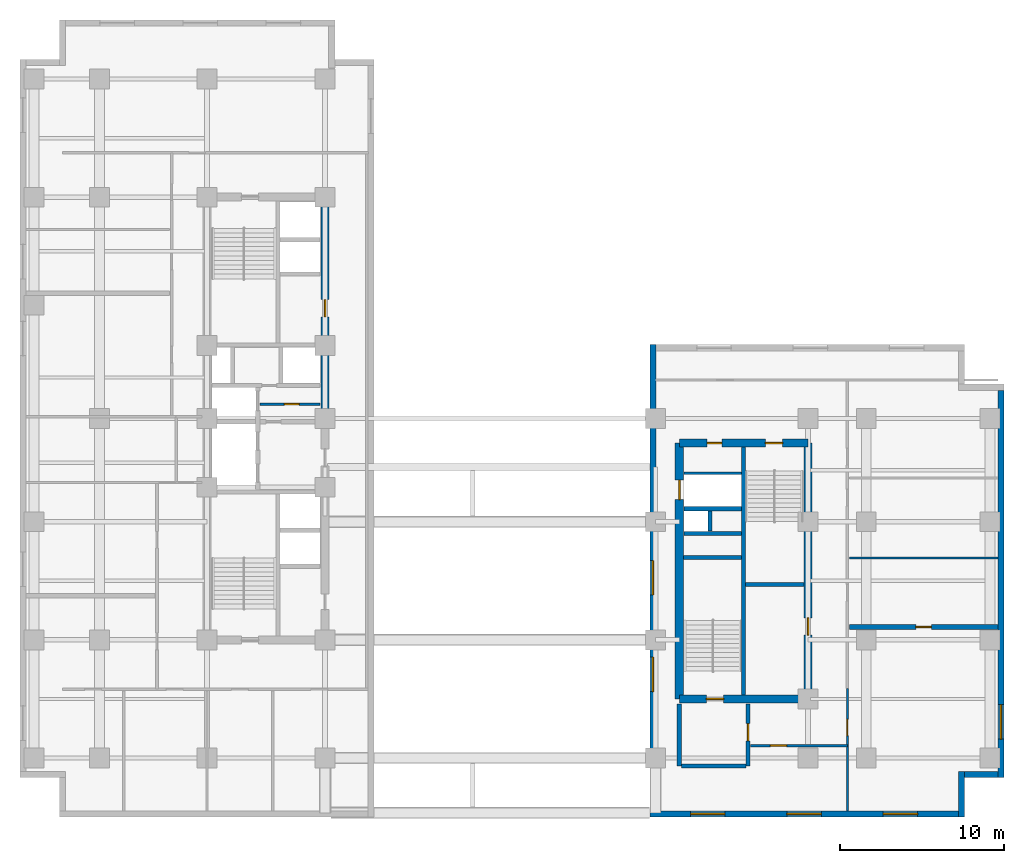
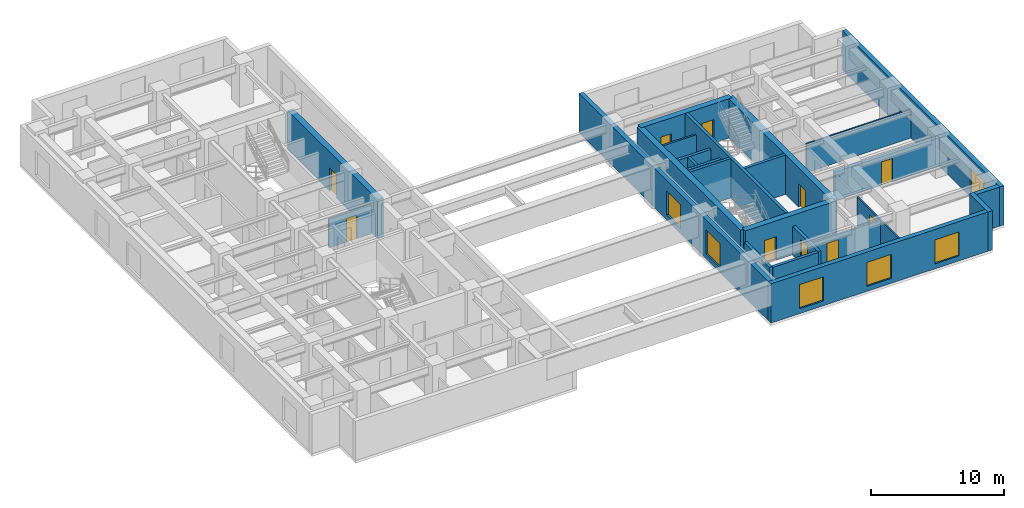
# One storey, part 4 of 9: 25 walls, 11 doors, 6 windows, 17 openings.
"""IFC4 building model written with IfcOpenShell, lengths in metres."""

from ifc_helpers import new_model, entity, si_unit, converted_unit, direction, frame, origin_with_axes, origin_2d_with_axis, place, context, subcontext, project, spatial, polyline, rectangle, outline, extrude, material, layer, layer_set, type_object, element, fill, save


model = new_model("IFC4")

# Units and contexts
model_context = context("Model", 3, precision=1e-05, world=origin_with_axes(), true_north=direction((0.0, 1.0)))
body_context = subcontext(model_context, "Body", "Model", "MODEL_VIEW")
ifc_project = project(units=[si_unit("LENGTHUNIT", "METRE"), si_unit("AREAUNIT", "SQUARE_METRE"), si_unit("VOLUMEUNIT", "CUBIC_METRE"), converted_unit("PLANEANGLEUNIT", "DEGREE", entity("IfcPlaneAngleMeasure", 0.017453292519943295), si_unit("PLANEANGLEUNIT", "RADIAN"), dimensions=[0, 0, 0, 0, 0, 0, 0]), si_unit("MASSUNIT", "GRAM", prefix="KILO"), si_unit("THERMODYNAMICTEMPERATUREUNIT", "KELVIN")], contexts=[model_context])

# Site, building, storey
site_placement = place(None, origin_with_axes())
site = spatial("IfcSite", under=ifc_project, at=site_placement, CompositionType="ELEMENT")
building_placement = place(site_placement, origin_with_axes())
building = spatial("IfcBuilding", under=site, at=building_placement, Name="Varnlund Millrace Tower", CompositionType="ELEMENT")
storey_placement = place(building_placement, frame((0.0, 0.0, 120.3), z_axis=(0.0, 0.0, 1.0), x_axis=(1.0, 0.0, 0.0)))
storey = spatial("IfcBuildingStorey", under=building, at=storey_placement, Name="L29", CompositionType="ELEMENT", Elevation=120.3)

# Wall, opening, door
ifc_material_1 = material(Name="Concrete C70/85", Category="concrete")
ifc_layer_1 = layer(ifc_material_1, 0.5, Name="Concrete C70/85")
ifc_layer_set_1 = layer_set([ifc_layer_1], Name="Concrete C70/85")
wall_type_1 = type_object("IfcWallType", Name="Type-CoreWall-Shear-500-C70", PredefinedType="SHEAR", material=ifc_layer_set_1)
wall_1_placement = place(storey_placement, frame((18.6, 24.3, 0.0), z_axis=(0.0, 0.0, 1.0), x_axis=(0.0, 1.0, 0.0)))
wall_1 = element("IfcWall", 1, at=wall_1_placement, inside=storey, type_object=wall_type_1, Name="Type-CoreWall-Shear-500-C70", PredefinedType="SHEAR", context=body_context, shape_type="SweptSolid", body=[
    extrude(outline(polyline([(0.0, -0.25), (13.5, -0.25), (13.5, 0.25), (0.0, 0.25), (0.0, -0.25)])), origin_with_axes(), (0.0, 0.0, 1.0), 3.6),
])
opening_1_placement = place(wall_1_placement, frame((6.725, 0.0, 0.0), z_axis=(0.0, 0.0, 1.0), x_axis=(1.0, 0.0, 0.0)))
opening_1 = element("IfcOpeningElement", 2, at=opening_1_placement, cuts=wall_1, Name="Opening L29:DR-CA-WC1", PredefinedType="OPENING", context=body_context, shape_type="SweptSolid", body=[
    extrude(rectangle(XDim=1.05, YDim=0.52, at=origin_2d_with_axis()), origin_with_axes(), (0.0, 0.0, 1.0), 2.15),
])
ifc_material_2 = material(Name="Smoke-barrier hollow steel fire door", Category="steel")
door_type_1 = type_object("IfcDoorType", Name="Type-FireDoor-Lobby-1050X2150", OperationType="NOTDEFINED", PredefinedType="DOOR", material=ifc_material_2)
door_1_placement = place(wall_1_placement, frame((6.725, 0.0, 0.0), z_axis=(0.0, 0.0, 1.0), x_axis=(1.0, 0.0, 0.0)))
door_1 = element("IfcDoor", 3, at=door_1_placement, inside=storey, type_object=door_type_1, Name="Type-FireDoor-Lobby-1050X2150", OperationType="SINGLE_SWING_LEFT", OverallHeight=2.15, OverallWidth=1.05, PredefinedType="DOOR", context=body_context, shape_type="SweptSolid", body=[
    extrude(rectangle(XDim=1.05, YDim=0.09, at=origin_2d_with_axis()), origin_with_axes(), (0.0, 0.0, 1.0), 2.15),
])
fill(opening_1, door_1)

wall_2_placement = place(storey_placement, frame((40.2, 7.2, 0.0), z_axis=(0.0, 0.0, 1.0), x_axis=(0.0, 1.0, 0.0)))
wall_2 = element("IfcWall", 4, at=wall_2_placement, inside=storey, type_object=wall_type_1, Name="Type-CoreWall-Shear-500-C70", PredefinedType="SHEAR", context=body_context, shape_type="SweptSolid", body=[
    extrude(outline(polyline([(0.0, -0.25), (15.6, -0.25), (15.6, 0.25), (0.0, 0.25), (0.0, -0.25)])), origin_with_axes(), (0.0, 0.0, 1.0), 3.6),
])
opening_2_placement = place(wall_2_placement, frame((12.75, 0.0, 0.0), z_axis=(0.0, 0.0, 1.0), x_axis=(1.0, 0.0, 0.0)))
opening_2 = element("IfcOpeningElement", 5, at=opening_2_placement, cuts=wall_2, Name="Opening L29:LD-SRV2", PredefinedType="OPENING", context=body_context, shape_type="SweptSolid", body=[
    extrude(rectangle(XDim=1.2, YDim=0.52, at=origin_2d_with_axis()), origin_with_axes(), (0.0, 0.0, 1.0), 2.15),
])
ifc_material_3 = material(Name="Heavy-duty freight sliding landing door")
door_type_2 = type_object("IfcDoorType", Name="Type-LiftLandingDoor-Service-1200X2150", OperationType="NOTDEFINED", PredefinedType="DOOR", material=ifc_material_3)
door_2_placement = place(wall_2_placement, frame((12.75, 0.0, 0.0), z_axis=(0.0, 0.0, 1.0), x_axis=(1.0, 0.0, 0.0)))
door_2 = element("IfcDoor", 6, at=door_2_placement, inside=storey, type_object=door_type_2, Name="Type-LiftLandingDoor-Service-1200X2150", OperationType="DOUBLE_DOOR_SLIDING", OverallHeight=2.15, OverallWidth=1.2, PredefinedType="DOOR", context=body_context, shape_type="SweptSolid", body=[
    extrude(rectangle(XDim=1.2, YDim=0.09, at=origin_2d_with_axis()), origin_with_axes(), (0.0, 0.0, 1.0), 2.15),
])
fill(opening_2, door_2)

wall_3_placement = place(storey_placement, frame((40.2, 7.2, 0.0), z_axis=(0.0, 0.0, 1.0), x_axis=(1.0, 0.0, 0.0)))
wall_3 = element("IfcWall", 7, at=wall_3_placement, inside=storey, type_object=wall_type_1, Name="Type-CoreWall-Shear-500-C70", PredefinedType="SHEAR", context=body_context, shape_type="SweptSolid", body=[
    extrude(outline(polyline([(0.0, -0.25), (7.85, -0.25), (7.85, 0.25), (0.0, 0.25), (0.0, -0.25)])), origin_with_axes(), (0.0, 0.0, 1.0), 3.6),
])
opening_3_placement = place(wall_3_placement, frame((2.175, 0.0, 0.0), z_axis=(0.0, 0.0, 1.0), x_axis=(1.0, 0.0, 0.0)))
opening_3 = element("IfcOpeningElement", 8, at=opening_3_placement, cuts=wall_3, Name="Opening L29:DR-STB1", PredefinedType="OPENING", context=body_context, shape_type="SweptSolid", body=[
    extrude(rectangle(XDim=1.05, YDim=0.52, at=origin_2d_with_axis()), origin_with_axes(), (0.0, 0.0, 1.0), 2.15),
])
ifc_material_4 = material(Name="Fire-rated hollow steel door", Category="steel")
door_type_3 = type_object("IfcDoorType", Name="Type-FireDoor-Stair-1050X2150", OperationType="NOTDEFINED", PredefinedType="DOOR", material=ifc_material_4)
door_3_placement = place(wall_3_placement, frame((2.175, 0.0, 0.0), z_axis=(0.0, 0.0, 1.0), x_axis=(1.0, 0.0, 0.0)))
door_3 = element("IfcDoor", 9, at=door_3_placement, inside=storey, type_object=door_type_3, Name="Type-FireDoor-Stair-1050X2150", OperationType="SINGLE_SWING_LEFT", OverallHeight=2.15, OverallWidth=1.05, PredefinedType="DOOR", context=body_context, shape_type="SweptSolid", body=[
    extrude(rectangle(XDim=1.05, YDim=0.09, at=origin_2d_with_axis()), origin_with_axes(), (0.0, 0.0, 1.0), 2.15),
])
fill(opening_3, door_3)

# Wall, openings, doors
wall_4_placement = place(storey_placement, frame((40.2, 22.8, 0.0), z_axis=(0.0, 0.0, 1.0), x_axis=(1.0, 0.0, 0.0)))
wall_4 = element("IfcWall", 10, at=wall_4_placement, inside=storey, type_object=wall_type_1, Name="Type-CoreWall-Shear-500-C70", PredefinedType="SHEAR", context=body_context, shape_type="SweptSolid", body=[
    extrude(outline(polyline([(0.0, -0.25), (7.85, -0.25), (7.85, 0.25), (0.0, 0.25), (0.0, -0.25)])), origin_with_axes(), (0.0, 0.0, 1.0), 3.6),
])
opening_4_placement = place(wall_4_placement, frame((5.775, 0.0, 0.0), z_axis=(0.0, 0.0, 1.0), x_axis=(1.0, 0.0, 0.0)))
opening_4 = element("IfcOpeningElement", 11, at=opening_4_placement, cuts=wall_4, Name="Opening L29:DR-STB2", PredefinedType="OPENING", context=body_context, shape_type="SweptSolid", body=[
    extrude(rectangle(XDim=1.05, YDim=0.52, at=origin_2d_with_axis()), origin_with_axes(), (0.0, 0.0, 1.0), 2.15),
])
opening_5_placement = place(wall_4_placement, frame((2.15, 0.0, 0.0), z_axis=(0.0, 0.0, 1.0), x_axis=(1.0, 0.0, 0.0)))
opening_5 = element("IfcOpeningElement", 12, at=opening_5_placement, cuts=wall_4, Name="Opening L29:DR-CB-NW", PredefinedType="OPENING", context=body_context, shape_type="SweptSolid", body=[
    extrude(rectangle(XDim=0.9, YDim=0.52, at=origin_2d_with_axis()), origin_with_axes(), (0.0, 0.0, 1.0), 2.15),
])
ifc_material_5 = material(Name="Fire-rated hollow steel service closet door", Category="steel")
door_type_4 = type_object("IfcDoorType", Name="Type-FireDoor-Closet-900X2150", OperationType="NOTDEFINED", PredefinedType="DOOR", material=ifc_material_5)
door_4_placement = place(wall_4_placement, frame((2.15, 0.0, 0.0), z_axis=(0.0, 0.0, 1.0), x_axis=(1.0, 0.0, 0.0)))
door_4 = element("IfcDoor", 13, at=door_4_placement, inside=storey, type_object=door_type_4, Name="Type-FireDoor-Closet-900X2150", OperationType="SINGLE_SWING_LEFT", OverallHeight=2.15, OverallWidth=0.9, PredefinedType="DOOR", context=body_context, shape_type="SweptSolid", body=[
    extrude(rectangle(XDim=0.9, YDim=0.09, at=origin_2d_with_axis()), origin_with_axes(), (0.0, 0.0, 1.0), 2.15),
])
fill(opening_5, door_4)
door_5_placement = place(wall_4_placement, frame((5.775, 0.0, 0.0), z_axis=(0.0, 0.0, 1.0), x_axis=(1.0, 0.0, 0.0)))
door_5 = element("IfcDoor", 14, at=door_5_placement, inside=storey, type_object=door_type_3, Name="Type-FireDoor-Stair-1050X2150", OperationType="SINGLE_SWING_RIGHT", OverallHeight=2.15, OverallWidth=1.05, PredefinedType="DOOR", context=body_context, shape_type="SweptSolid", body=[
    extrude(rectangle(XDim=1.05, YDim=0.09, at=origin_2d_with_axis()), origin_with_axes(), (0.0, 0.0, 1.0), 2.15),
])
fill(opening_4, door_5)

# Wall, opening, door
wall_5_placement = place(storey_placement, frame((48.05, 7.2, 0.0), z_axis=(0.0, 0.0, 1.0), x_axis=(0.0, 1.0, 0.0)))
wall_5 = element("IfcWall", 15, at=wall_5_placement, inside=storey, type_object=wall_type_1, Name="Type-CoreWall-Shear-500-C70", PredefinedType="SHEAR", context=body_context, shape_type="SweptSolid", body=[
    extrude(outline(polyline([(0.0, -0.25), (15.6, -0.25), (15.6, 0.25), (0.0, 0.25), (0.0, -0.25)])), origin_with_axes(), (0.0, 0.0, 1.0), 3.6),
])
opening_6_placement = place(wall_5_placement, frame((4.425, 0.0, 0.0), z_axis=(0.0, 0.0, 1.0), x_axis=(1.0, 0.0, 0.0)))
opening_6 = element("IfcOpeningElement", 16, at=opening_6_placement, cuts=wall_5, Name="Opening L29:DR-CB-WC", PredefinedType="OPENING", context=body_context, shape_type="SweptSolid", body=[
    extrude(rectangle(XDim=1.05, YDim=0.52, at=origin_2d_with_axis()), origin_with_axes(), (0.0, 0.0, 1.0), 2.15),
])
door_6_placement = place(wall_5_placement, frame((4.425, 0.0, 0.0), z_axis=(0.0, 0.0, 1.0), x_axis=(1.0, 0.0, 0.0)))
door_6 = element("IfcDoor", 17, at=door_6_placement, inside=storey, type_object=door_type_1, Name="Type-FireDoor-Lobby-1050X2150", OperationType="SINGLE_SWING_RIGHT", OverallHeight=2.15, OverallWidth=1.05, PredefinedType="DOOR", context=body_context, shape_type="SweptSolid", body=[
    extrude(rectangle(XDim=1.05, YDim=0.09, at=origin_2d_with_axis()), origin_with_axes(), (0.0, 0.0, 1.0), 2.15),
])
fill(opening_6, door_6)

# Wall, opening, window
ifc_material_6 = material(Name="Precast concrete C50/60", Category="concrete")
ifc_layer_2 = layer(ifc_material_6, 0.38, Name="Precast concrete C50/60")
ifc_layer_set_2 = layer_set([ifc_layer_2], Name="Precast concrete C50/60")
wall_type_2 = type_object("IfcWallType", Name="Type-ExtWall-Precast-Tube-380", PredefinedType="SOLIDWALL", material=ifc_layer_set_2)
wall_6_placement = place(storey_placement, frame((59.81, 26.02, 0.0), z_axis=(0.0, 0.0, 1.0), x_axis=(0.0, -1.0, 0.0)))
wall_6 = element("IfcWall", 18, at=wall_6_placement, inside=storey, type_object=wall_type_2, Name="Type-ExtWall-Precast-Tube-380", PredefinedType="SOLIDWALL", context=body_context, shape_type="SweptSolid", body=[
    extrude(outline(polyline([(0.0, -0.19), (23.62, -0.19), (23.62, 0.19), (0.0, 0.19), (0.0, -0.19)])), origin_with_axes(), (0.0, 0.0, 1.0), 3.6),
])
opening_7_placement = place(wall_6_placement, frame((20.218, 0.0, 0.45), z_axis=(0.0, 0.0, 1.0), x_axis=(1.0, 0.0, 0.0)))
opening_7 = element("IfcOpeningElement", 19, at=opening_7_placement, cuts=wall_6, Name="Opening L29:WN-13", PredefinedType="OPENING", context=body_context, shape_type="SweptSolid", body=[
    extrude(rectangle(XDim=2.1, YDim=0.4, at=origin_2d_with_axis()), origin_with_axes(), (0.0, 0.0, 1.0), 2.2),
])
ifc_material_7 = material(Name="Argon low-e triple glazing in thermally broken bronze frame", Category="glass")
window_type = type_object("IfcWindowType", Name="Type-Window-Punched-2100X2200", PartitioningType="SINGLE_PANEL", PredefinedType="WINDOW", material=ifc_material_7)
window_1_placement = place(wall_6_placement, frame((20.218, 0.0, 0.45), z_axis=(0.0, 0.0, 1.0), x_axis=(1.0, 0.0, 0.0)))
window_1 = element("IfcWindow", 20, at=window_1_placement, inside=storey, type_object=window_type, Name="Type-Window-Punched-2100X2200", OverallHeight=2.2, OverallWidth=2.1, PredefinedType="WINDOW", context=body_context, shape_type="SweptSolid", body=[
    extrude(rectangle(XDim=2.1, YDim=0.09, at=origin_2d_with_axis()), origin_with_axes(), (0.0, 0.0, 1.0), 2.2),
])
fill(opening_7, window_1)

# Walls
wall_7_placement = place(storey_placement, frame((59.62, 2.59, 0.0), z_axis=(0.0, 0.0, 1.0), x_axis=(-1.0, 0.0, 0.0)))
element("IfcWall", 21, at=wall_7_placement, inside=storey, type_object=wall_type_2, Name="Type-ExtWall-Precast-Tube-380", PredefinedType="SOLIDWALL", context=body_context, shape_type="SweptSolid", body=[
    extrude(outline(polyline([(0.0, -0.19), (2.02, -0.19), (2.02, 0.19), (0.0, 0.19), (0.0, -0.19)])), origin_with_axes(), (0.0, 0.0, 1.0), 3.6),
])
wall_8_placement = place(storey_placement, frame((57.41, 2.78, 0.0), z_axis=(0.0, 0.0, 1.0), x_axis=(0.0, -1.0, 0.0)))
element("IfcWall", 22, at=wall_8_placement, inside=storey, type_object=wall_type_2, Name="Type-ExtWall-Precast-Tube-380", PredefinedType="SOLIDWALL", context=body_context, shape_type="SweptSolid", body=[
    extrude(outline(polyline([(0.0, -0.19), (2.78, -0.19), (2.78, 0.19), (0.0, 0.19), (0.0, -0.19)])), origin_with_axes(), (0.0, 0.0, 1.0), 3.6),
])

# Wall, openings, windows
wall_9_placement = place(storey_placement, frame((57.22, 0.19, 0.0), z_axis=(0.0, 0.0, 1.0), x_axis=(-1.0, 0.0, 0.0)))
wall_9 = element("IfcWall", 23, at=wall_9_placement, inside=storey, type_object=wall_type_2, Name="Type-ExtWall-Precast-Tube-380", PredefinedType="SOLIDWALL", context=body_context, shape_type="SweptSolid", body=[
    extrude(outline(polyline([(0.0, -0.19), (18.82, -0.19), (18.82, 0.19), (0.0, 0.19), (0.0, -0.19)])), origin_with_axes(), (0.0, 0.0, 1.0), 3.6),
])
opening_8_placement = place(wall_9_placement, frame((3.537, 0.0, 0.45), z_axis=(0.0, 0.0, 1.0), x_axis=(1.0, 0.0, 0.0)))
opening_8 = element("IfcOpeningElement", 24, at=opening_8_placement, cuts=wall_9, Name="Opening L29:WN-14", PredefinedType="OPENING", context=body_context, shape_type="SweptSolid", body=[
    extrude(rectangle(XDim=2.1, YDim=0.4, at=origin_2d_with_axis()), origin_with_axes(), (0.0, 0.0, 1.0), 2.2),
])
opening_9_placement = place(wall_9_placement, frame((9.41, 0.0, 0.45), z_axis=(0.0, 0.0, 1.0), x_axis=(1.0, 0.0, 0.0)))
opening_9 = element("IfcOpeningElement", 25, at=opening_9_placement, cuts=wall_9, Name="Opening L29:WN-15", PredefinedType="OPENING", context=body_context, shape_type="SweptSolid", body=[
    extrude(rectangle(XDim=2.1, YDim=0.4, at=origin_2d_with_axis()), origin_with_axes(), (0.0, 0.0, 1.0), 2.2),
])
opening_10_placement = place(wall_9_placement, frame((15.283, 0.0, 0.45), z_axis=(0.0, 0.0, 1.0), x_axis=(1.0, 0.0, 0.0)))
opening_10 = element("IfcOpeningElement", 26, at=opening_10_placement, cuts=wall_9, Name="Opening L29:WN-16", PredefinedType="OPENING", context=body_context, shape_type="SweptSolid", body=[
    extrude(rectangle(XDim=2.1, YDim=0.4, at=origin_2d_with_axis()), origin_with_axes(), (0.0, 0.0, 1.0), 2.2),
])
window_2_placement = place(wall_9_placement, frame((3.537, 0.0, 0.45), z_axis=(0.0, 0.0, 1.0), x_axis=(1.0, 0.0, 0.0)))
window_2 = element("IfcWindow", 27, at=window_2_placement, inside=storey, type_object=window_type, Name="Type-Window-Punched-2100X2200", OverallHeight=2.2, OverallWidth=2.1, PredefinedType="WINDOW", context=body_context, shape_type="SweptSolid", body=[
    extrude(rectangle(XDim=2.1, YDim=0.09, at=origin_2d_with_axis()), origin_with_axes(), (0.0, 0.0, 1.0), 2.2),
])
fill(opening_8, window_2)
window_3_placement = place(wall_9_placement, frame((9.41, 0.0, 0.45), z_axis=(0.0, 0.0, 1.0), x_axis=(1.0, 0.0, 0.0)))
window_3 = element("IfcWindow", 28, at=window_3_placement, inside=storey, type_object=window_type, Name="Type-Window-Punched-2100X2200", OverallHeight=2.2, OverallWidth=2.1, PredefinedType="WINDOW", context=body_context, shape_type="SweptSolid", body=[
    extrude(rectangle(XDim=2.1, YDim=0.09, at=origin_2d_with_axis()), origin_with_axes(), (0.0, 0.0, 1.0), 2.2),
])
fill(opening_9, window_3)
window_4_placement = place(wall_9_placement, frame((15.283, 0.0, 0.45), z_axis=(0.0, 0.0, 1.0), x_axis=(1.0, 0.0, 0.0)))
window_4 = element("IfcWindow", 29, at=window_4_placement, inside=storey, type_object=window_type, Name="Type-Window-Punched-2100X2200", OverallHeight=2.2, OverallWidth=2.1, PredefinedType="WINDOW", context=body_context, shape_type="SweptSolid", body=[
    extrude(rectangle(XDim=2.1, YDim=0.09, at=origin_2d_with_axis()), origin_with_axes(), (0.0, 0.0, 1.0), 2.2),
])
fill(opening_10, window_4)

wall_10_placement = place(storey_placement, frame((38.59, 0.38, 0.0), z_axis=(0.0, 0.0, 1.0), x_axis=(0.0, 1.0, 0.0)))
wall_10 = element("IfcWall", 30, at=wall_10_placement, inside=storey, type_object=wall_type_2, Name="Type-ExtWall-Precast-Tube-380", PredefinedType="SOLIDWALL", context=body_context, shape_type="SweptSolid", body=[
    extrude(outline(polyline([(0.0, -0.19), (28.42, -0.19), (28.42, 0.19), (0.0, 0.19), (0.0, -0.19)])), origin_with_axes(), (0.0, 0.0, 1.0), 3.6),
])
opening_11_placement = place(wall_10_placement, frame((8.316, 0.0, 0.45), z_axis=(0.0, 0.0, 1.0), x_axis=(1.0, 0.0, 0.0)))
opening_11 = element("IfcOpeningElement", 31, at=opening_11_placement, cuts=wall_10, Name="Opening L29:WN-17", PredefinedType="OPENING", context=body_context, shape_type="SweptSolid", body=[
    extrude(rectangle(XDim=2.1, YDim=0.4, at=origin_2d_with_axis()), origin_with_axes(), (0.0, 0.0, 1.0), 2.2),
])
opening_12_placement = place(wall_10_placement, frame((14.21, 0.0, 0.45), z_axis=(0.0, 0.0, 1.0), x_axis=(1.0, 0.0, 0.0)))
opening_12 = element("IfcOpeningElement", 32, at=opening_12_placement, cuts=wall_10, Name="Opening L29:WN-18", PredefinedType="OPENING", context=body_context, shape_type="SweptSolid", body=[
    extrude(rectangle(XDim=2.1, YDim=0.4, at=origin_2d_with_axis()), origin_with_axes(), (0.0, 0.0, 1.0), 2.2),
])
window_5_placement = place(wall_10_placement, frame((8.316, 0.0, 0.45), z_axis=(0.0, 0.0, 1.0), x_axis=(1.0, 0.0, 0.0)))
window_5 = element("IfcWindow", 33, at=window_5_placement, inside=storey, type_object=window_type, Name="Type-Window-Punched-2100X2200", OverallHeight=2.2, OverallWidth=2.1, PredefinedType="WINDOW", context=body_context, shape_type="SweptSolid", body=[
    extrude(rectangle(XDim=2.1, YDim=0.09, at=origin_2d_with_axis()), origin_with_axes(), (0.0, 0.0, 1.0), 2.2),
])
fill(opening_11, window_5)
window_6_placement = place(wall_10_placement, frame((14.21, 0.0, 0.45), z_axis=(0.0, 0.0, 1.0), x_axis=(1.0, 0.0, 0.0)))
window_6 = element("IfcWindow", 34, at=window_6_placement, inside=storey, type_object=window_type, Name="Type-Window-Punched-2100X2200", OverallHeight=2.2, OverallWidth=2.1, PredefinedType="WINDOW", context=body_context, shape_type="SweptSolid", body=[
    extrude(rectangle(XDim=2.1, YDim=0.09, at=origin_2d_with_axis()), origin_with_axes(), (0.0, 0.0, 1.0), 2.2),
])
fill(opening_12, window_6)

# Wall, opening, door
ifc_material_8 = material(Name="Double-stud STC-60 conference acoustic partition", Category="gypsum")
ifc_layer_3 = layer(ifc_material_8, 0.28, Name="Double-stud STC-60 conference acoustic partition")
ifc_layer_set_3 = layer_set([ifc_layer_3], Name="Double-stud STC-60 conference acoustic partition")
wall_type_3 = type_object("IfcWallType", Name="Type-Partition-Acoustic-280", PredefinedType="PARTITIONING", material=ifc_layer_set_3)
wall_11_placement = place(storey_placement, frame((50.57, 11.588, 0.0), z_axis=(0.0, 0.0, 1.0), x_axis=(1.0, 0.0, 0.0)))
wall_11 = element("IfcWall", 35, at=wall_11_placement, inside=storey, type_object=wall_type_3, Name="Type-Partition-Acoustic-280", PredefinedType="PARTITIONING", context=body_context, shape_type="SweptSolid", body=[
    extrude(outline(polyline([(0.0, -0.14), (9.055, -0.14), (9.055, 0.14), (0.0, 0.14), (0.0, -0.14)])), origin_with_axes(), (0.0, 0.0, 1.0), 2.64),
])
opening_13_placement = place(wall_11_placement, frame((4.525, 0.0, 0.0), z_axis=(0.0, 0.0, 1.0), x_axis=(1.0, 0.0, 0.0)))
opening_13 = element("IfcOpeningElement", 36, at=opening_13_placement, cuts=wall_11, Name="Opening L29:DR-WB-01", PredefinedType="OPENING", context=body_context, shape_type="SweptSolid", body=[
    extrude(rectangle(XDim=0.95, YDim=0.3, at=origin_2d_with_axis()), origin_with_axes(), (0.0, 0.0, 1.0), 2.15),
])
ifc_material_9 = material(Name="Solid-core acoustic office door")
door_type_5 = type_object("IfcDoorType", Name="Type-IntDoor-Tenant-950X2150", OperationType="NOTDEFINED", PredefinedType="DOOR", material=ifc_material_9)
door_7_placement = place(wall_11_placement, frame((4.525, 0.0, 0.0), z_axis=(0.0, 0.0, 1.0), x_axis=(1.0, 0.0, 0.0)))
door_7 = element("IfcDoor", 37, at=door_7_placement, inside=storey, type_object=door_type_5, Name="Type-IntDoor-Tenant-950X2150", OperationType="SINGLE_SWING_LEFT", OverallHeight=2.15, OverallWidth=0.95, PredefinedType="DOOR", context=body_context, shape_type="SweptSolid", body=[
    extrude(rectangle(XDim=0.95, YDim=0.09, at=origin_2d_with_axis()), origin_with_axes(), (0.0, 0.0, 1.0), 2.15),
])
fill(opening_13, door_7)

ifc_material_10 = material(Name="Fire-rated gypsum board on cold-formed steel framing", Category="steel")
ifc_layer_4 = layer(ifc_material_10, 0.16, Name="Fire-rated gypsum board on cold-formed steel framing")
ifc_layer_set_4 = layer_set([ifc_layer_4], Name="Fire-rated gypsum board on cold-formed steel framing")
wall_type_4 = type_object("IfcWallType", Name="Type-Partition-Corridor-160", PredefinedType="PARTITIONING", material=ifc_layer_set_4)
wall_12_placement = place(storey_placement, frame((14.62, 25.18, 0.0), z_axis=(0.0, 0.0, 1.0), x_axis=(1.0, 0.0, 0.0)))
wall_12 = element("IfcWall", 38, at=wall_12_placement, inside=storey, type_object=wall_type_4, Name="Type-Partition-Corridor-160", PredefinedType="PARTITIONING", context=body_context, shape_type="SweptSolid", body=[
    extrude(outline(polyline([(0.0, -0.08), (3.68, -0.08), (3.68, 0.08), (0.0, 0.08), (0.0, -0.08)])), origin_with_axes(), (0.0, 0.0, 1.0), 2.64),
])
opening_14_placement = place(wall_12_placement, frame((1.95, 0.0, 0.0), z_axis=(0.0, 0.0, 1.0), x_axis=(1.0, 0.0, 0.0)))
opening_14 = element("IfcOpeningElement", 39, at=opening_14_placement, cuts=wall_12, Name="Opening L29:DR-CA-SUB2", PredefinedType="OPENING", context=body_context, shape_type="SweptSolid", body=[
    extrude(rectangle(XDim=0.9, YDim=0.18, at=origin_2d_with_axis()), origin_with_axes(), (0.0, 0.0, 1.0), 2.15),
])
ifc_material_11 = material(Name="Painted steel riser and closet door", Category="steel")
door_type_6 = type_object("IfcDoorType", Name="Type-IntDoor-Closet-900X2150", OperationType="NOTDEFINED", PredefinedType="DOOR", material=ifc_material_11)
door_8_placement = place(wall_12_placement, frame((1.95, 0.0, 0.0), z_axis=(0.0, 0.0, 1.0), x_axis=(1.0, 0.0, 0.0)))
door_8 = element("IfcDoor", 40, at=door_8_placement, inside=storey, type_object=door_type_6, Name="Type-IntDoor-Closet-900X2150", OperationType="SINGLE_SWING_LEFT", OverallHeight=2.15, OverallWidth=0.9, PredefinedType="DOOR", context=body_context, shape_type="SweptSolid", body=[
    extrude(rectangle(XDim=0.9, YDim=0.09, at=origin_2d_with_axis()), origin_with_axes(), (0.0, 0.0, 1.0), 2.15),
])
fill(opening_14, door_8)

# Wall
wall_13_placement = place(storey_placement, frame((40.5, 20.96, 0.0), z_axis=(0.0, 0.0, 1.0), x_axis=(1.0, 0.0, 0.0)))
element("IfcWall", 41, at=wall_13_placement, inside=storey, type_object=wall_type_4, Name="Type-Partition-Corridor-160", PredefinedType="PARTITIONING", context=body_context, shape_type="SweptSolid", body=[
    extrude(outline(polyline([(0.0, -0.08), (3.5, -0.08), (3.5, 0.08), (0.0, 0.08), (0.0, -0.08)])), origin_with_axes(), (0.0, 0.0, 1.0), 2.64),
])

# Wall, opening, door
wall_14_placement = place(storey_placement, frame((44.55, 4.35, 0.0), z_axis=(0.0, 0.0, 1.0), x_axis=(1.0, 0.0, 0.0)))
wall_14 = element("IfcWall", 42, at=wall_14_placement, inside=storey, type_object=wall_type_4, Name="Type-Partition-Corridor-160", PredefinedType="PARTITIONING", context=body_context, shape_type="SweptSolid", body=[
    extrude(outline(polyline([(0.0, -0.08), (5.9, -0.08), (5.9, 0.08), (0.0, 0.08), (0.0, -0.08)])), origin_with_axes(), (0.0, 0.0, 1.0), 2.64),
])
opening_15_placement = place(wall_14_placement, frame((1.7, 0.0, 0.0), z_axis=(0.0, 0.0, 1.0), x_axis=(1.0, 0.0, 0.0)))
opening_15 = element("IfcOpeningElement", 43, at=opening_15_placement, cuts=wall_14, Name="Opening L29:DR-WBS-01", PredefinedType="OPENING", context=body_context, shape_type="SweptSolid", body=[
    extrude(rectangle(XDim=1.0, YDim=0.18, at=origin_2d_with_axis()), origin_with_axes(), (0.0, 0.0, 1.0), 2.15),
])
ifc_material_12 = material(Name="Solid-core white oak and bronze frame door")
door_type_7 = type_object("IfcDoorType", Name="Type-IntDoor-Office-1000X2150", OperationType="NOTDEFINED", PredefinedType="DOOR", material=ifc_material_12)
door_9_placement = place(wall_14_placement, frame((1.7, 0.0, 0.0), z_axis=(0.0, 0.0, 1.0), x_axis=(1.0, 0.0, 0.0)))
door_9 = element("IfcDoor", 44, at=door_9_placement, inside=storey, type_object=door_type_7, Name="Type-IntDoor-Office-1000X2150", OperationType="SINGLE_SWING_LEFT", OverallHeight=2.15, OverallWidth=1.0, PredefinedType="DOOR", context=body_context, shape_type="SweptSolid", body=[
    extrude(rectangle(XDim=1.0, YDim=0.09, at=origin_2d_with_axis()), origin_with_axes(), (0.0, 0.0, 1.0), 2.15),
])
fill(opening_15, door_9)

ifc_material_13 = material(Name="Gypsum board tenant partition", Category="gypsum")
ifc_layer_5 = layer(ifc_material_13, 0.125, Name="Gypsum board tenant partition")
ifc_layer_set_5 = layer_set([ifc_layer_5], Name="Gypsum board tenant partition")
wall_type_5 = type_object("IfcWallType", Name="Type-Partition-Tenant-125", PredefinedType="PARTITIONING", material=ifc_layer_set_5)
wall_15_placement = place(storey_placement, frame((50.45, 0.36, 0.0), z_axis=(0.0, 0.0, 1.0), x_axis=(0.0, 1.0, 0.0)))
wall_15 = element("IfcWall", 45, at=wall_15_placement, inside=storey, type_object=wall_type_5, Name="Type-Partition-Tenant-125", PredefinedType="PARTITIONING", context=body_context, shape_type="SweptSolid", body=[
    extrude(outline(polyline([(0.0, -0.0625), (7.49, -0.0625), (7.49, 0.0625), (0.0, 0.0625), (0.0, -0.0625)])), origin_with_axes(), (0.0, 0.0, 1.0), 2.64),
])
opening_16_placement = place(wall_15_placement, frame((5.1, 0.0, 0.0), z_axis=(0.0, 0.0, 1.0), x_axis=(1.0, 0.0, 0.0)))
opening_16 = element("IfcOpeningElement", 46, at=opening_16_placement, cuts=wall_15, Name="Opening L29:DR-WBS-02", PredefinedType="OPENING", context=body_context, shape_type="SweptSolid", body=[
    extrude(rectangle(XDim=1.0, YDim=0.145, at=origin_2d_with_axis()), origin_with_axes(), (0.0, 0.0, 1.0), 2.15),
])
door_10_placement = place(wall_15_placement, frame((5.1, 0.0, 0.0), z_axis=(0.0, 0.0, 1.0), x_axis=(1.0, 0.0, 0.0)))
door_10 = element("IfcDoor", 47, at=door_10_placement, inside=storey, type_object=door_type_7, Name="Type-IntDoor-Office-1000X2150", OperationType="SINGLE_SWING_LEFT", OverallHeight=2.15, OverallWidth=1.0, PredefinedType="DOOR", context=body_context, shape_type="SweptSolid", body=[
    extrude(rectangle(XDim=1.0, YDim=0.075, at=origin_2d_with_axis()), origin_with_axes(), (0.0, 0.0, 1.0), 2.15),
])
fill(opening_16, door_10)

# Walls
wall_16_placement = place(storey_placement, frame((50.57, 15.784, 0.0), z_axis=(0.0, 0.0, 1.0), x_axis=(1.0, 0.0, 0.0)))
element("IfcWall", 48, at=wall_16_placement, inside=storey, type_object=wall_type_5, Name="Type-Partition-Tenant-125", PredefinedType="PARTITIONING", context=body_context, shape_type="SweptSolid", body=[
    extrude(outline(polyline([(0.0, -0.0625), (9.055, -0.0625), (9.055, 0.0625), (0.0, 0.0625), (0.0, -0.0625)])), origin_with_axes(), (0.0, 0.0, 1.0), 2.64),
])
ifc_material_14 = material(Name="Concrete C60/75", Category="concrete")
ifc_layer_6 = layer(ifc_material_14, 0.25, Name="Concrete C60/75")
ifc_layer_set_6 = layer_set([ifc_layer_6], Name="Concrete C60/75")
wall_type_6 = type_object("IfcWallType", Name="Type-ShaftWall-Fire-250", PredefinedType="SOLIDWALL", material=ifc_layer_set_6)
for number, where, z_axis, x_axis, name in (
    (49, (40.5, 17.3, 0.0), (0.0, 0.0, 1.0), (1.0, 0.0, 0.0), "Type-ShaftWall-Fire-250"),
    (50, (40.5, 18.8, 0.0), (0.0, 0.0, 1.0), (1.0, 0.0, 0.0), "Type-ShaftWall-Fire-250"),
):
    element("IfcWall", number, at=place(storey_placement, frame(where, z_axis=z_axis, x_axis=x_axis)), inside=storey, type_object=wall_type_6, Name=name, PredefinedType="SOLIDWALL", context=body_context, shape_type="SweptSolid", body=[
        extrude(outline(polyline([(0.0, -0.125), (3.5, -0.125), (3.5, 0.125), (0.0, 0.125), (0.0, -0.125)])), origin_with_axes(), (0.0, 0.0, 1.0), 2.64),
    ])
wall_17_placement = place(storey_placement, frame((42.075, 17.43, 0.0), z_axis=(0.0, 0.0, 1.0), x_axis=(0.0, 1.0, 0.0)))
element("IfcWall", 51, at=wall_17_placement, inside=storey, type_object=wall_type_6, Name="Type-ShaftWall-Fire-250", PredefinedType="SOLIDWALL", context=body_context, shape_type="SweptSolid", body=[
    extrude(outline(polyline([(0.0, -0.125), (1.24, -0.125), (1.24, 0.125), (0.0, 0.125), (0.0, -0.125)])), origin_with_axes(), (0.0, 0.0, 1.0), 2.64),
])
wall_18_placement = place(storey_placement, frame((40.2, 3.1, 0.0), z_axis=(0.0, 0.0, 1.0), x_axis=(0.0, 1.0, 0.0)))
element("IfcWall", 52, at=wall_18_placement, inside=storey, type_object=wall_type_6, Name="Type-ShaftWall-Fire-250", PredefinedType="SOLIDWALL", context=body_context, shape_type="SweptSolid", body=[
    extrude(outline(polyline([(0.0, -0.125), (3.8, -0.125), (3.8, 0.125), (0.0, 0.125), (0.0, -0.125)])), origin_with_axes(), (0.0, 0.0, 1.0), 2.64),
])
wall_19_placement = place(storey_placement, frame((40.325, 3.1, 0.0), z_axis=(0.0, 0.0, 1.0), x_axis=(1.0, 0.0, 0.0)))
element("IfcWall", 53, at=wall_19_placement, inside=storey, type_object=wall_type_6, Name="Type-ShaftWall-Fire-250", PredefinedType="SOLIDWALL", context=body_context, shape_type="SweptSolid", body=[
    extrude(outline(polyline([(0.0, -0.125), (3.95, -0.125), (3.95, 0.125), (0.0, 0.125), (0.0, -0.125)])), origin_with_axes(), (0.0, 0.0, 1.0), 2.64),
])

# Wall, opening, door
wall_20_placement = place(storey_placement, frame((44.4, 3.1, 0.0), z_axis=(0.0, 0.0, 1.0), x_axis=(0.0, 1.0, 0.0)))
wall_20 = element("IfcWall", 54, at=wall_20_placement, inside=storey, type_object=wall_type_6, Name="Type-ShaftWall-Fire-250", PredefinedType="SOLIDWALL", context=body_context, shape_type="SweptSolid", body=[
    extrude(outline(polyline([(0.0, -0.125), (3.8, -0.125), (3.8, 0.125), (0.0, 0.125), (0.0, -0.125)])), origin_with_axes(), (0.0, 0.0, 1.0), 2.64),
])
opening_17_placement = place(wall_20_placement, frame((2.075, 0.0, 0.0), z_axis=(0.0, 0.0, 1.0), x_axis=(1.0, 0.0, 0.0)))
opening_17 = element("IfcOpeningElement", 55, at=opening_17_placement, cuts=wall_20, Name="Opening L29:DR-FFLOB-B", PredefinedType="OPENING", context=body_context, shape_type="SweptSolid", body=[
    extrude(rectangle(XDim=1.05, YDim=0.27, at=origin_2d_with_axis()), origin_with_axes(), (0.0, 0.0, 1.0), 2.15),
])
door_11_placement = place(wall_20_placement, frame((2.075, 0.0, 0.0), z_axis=(0.0, 0.0, 1.0), x_axis=(1.0, 0.0, 0.0)))
door_11 = element("IfcDoor", 56, at=door_11_placement, inside=storey, type_object=door_type_1, Name="Type-FireDoor-Lobby-1050X2150", OperationType="SINGLE_SWING_LEFT", OverallHeight=2.15, OverallWidth=1.05, PredefinedType="DOOR", context=body_context, shape_type="SweptSolid", body=[
    extrude(rectangle(XDim=1.05, YDim=0.09, at=origin_2d_with_axis()), origin_with_axes(), (0.0, 0.0, 1.0), 2.15),
])
fill(opening_17, door_11)

# Walls
wall_type_7 = type_object("IfcWallType", Name="Type-StairWall-Shear-250", PredefinedType="SHEAR", material=ifc_layer_set_6)
wall_21_placement = place(storey_placement, frame((44.125, 7.45, 0.0), z_axis=(0.0, 0.0, 1.0), x_axis=(0.0, 1.0, 0.0)))
element("IfcWall", 57, at=wall_21_placement, inside=storey, type_object=wall_type_7, Name="Type-StairWall-Shear-250", PredefinedType="SHEAR", context=body_context, shape_type="SweptSolid", body=[
    extrude(outline(polyline([(0.0, -0.125), (15.1, -0.125), (15.1, 0.125), (0.0, 0.125), (0.0, -0.125)])), origin_with_axes(), (0.0, 0.0, 1.0), 3.6),
])
for number, where, z_axis, x_axis, name in (
    (58, (40.45, 15.825, 0.0), (0.0, 0.0, 1.0), (1.0, 0.0, 0.0), "Type-StairWall-Shear-250"),
    (59, (44.25, 14.175, 0.0), (0.0, 0.0, 1.0), (1.0, 0.0, 0.0), "Type-StairWall-Shear-250"),
):
    element("IfcWall", number, at=place(storey_placement, frame(where, z_axis=z_axis, x_axis=x_axis)), inside=storey, type_object=wall_type_7, Name=name, PredefinedType="SHEAR", context=body_context, shape_type="SweptSolid", body=[
        extrude(outline(polyline([(0.0, -0.125), (3.55, -0.125), (3.55, 0.125), (0.0, 0.125), (0.0, -0.125)])), origin_with_axes(), (0.0, 0.0, 1.0), 3.6),
    ])

save(model, "model.ifc")
